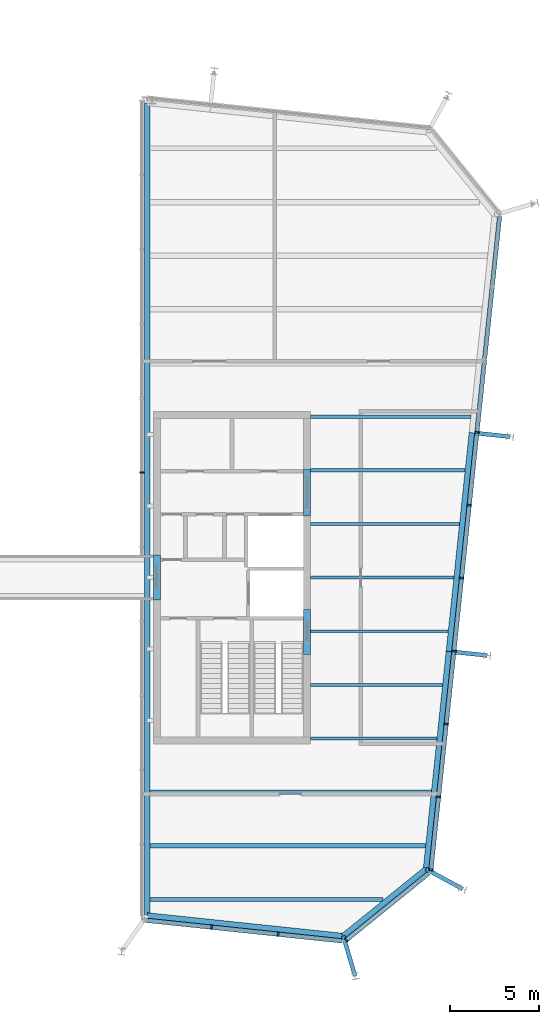
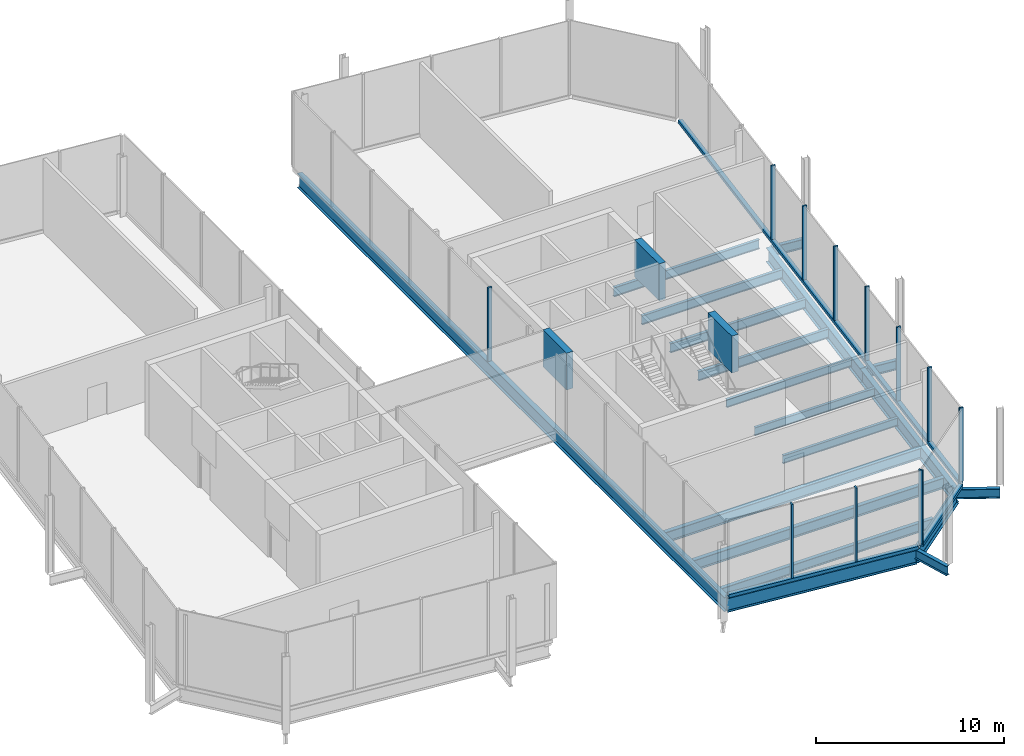
# One storey, part 4 of 12: 22 beams, 14 members, 4 elements without a shape of their own.
"""IFC4 building model written with IfcOpenShell, lengths in metres."""

from ifc_helpers import new_model, si_unit, direction, frame, origin, origin_2d, place, context, subcontext, project, spatial, rectangle, i_section, extrude, material, layer, layer_set, material_profile, profile_set, type_object, element, aggregate, save


model = new_model("IFC4")

# Units and contexts
model_context = context("Model", 3, precision=1e-05, world=origin(), true_north=direction((0.0, 1.0)))
body_context = subcontext(model_context, "Body", "Model", "MODEL_VIEW")
ifc_project = project(units=[si_unit("LENGTHUNIT", "METRE"), si_unit("AREAUNIT", "SQUARE_METRE"), si_unit("VOLUMEUNIT", "CUBIC_METRE"), si_unit("PLANEANGLEUNIT", "RADIAN"), si_unit("MASSUNIT", "GRAM", prefix="KILO")], contexts=[model_context])

# Site, building, storey
site_placement = place(None, origin())
site = spatial("IfcSite", under=ifc_project, at=site_placement, CompositionType="ELEMENT")
building_placement = place(site_placement, origin())
building = spatial("IfcBuilding", under=site, at=building_placement, Name="Millrace Tower", CompositionType="ELEMENT")
storey_placement = place(building_placement, frame((0.0, 0.0, 347.10009765625)))
storey = spatial("IfcBuildingStorey", under=building, at=storey_placement, Name="L80", CompositionType="ELEMENT", Elevation=347.10009765625)

# Curtain wall, member
ifc_material_1 = material(Name="Aluminium and glass", Category="aluminium")
ifc_layer = layer(ifc_material_1, 0.25)
ifc_layer_set = layer_set([ifc_layer], Name="Aluminium and glass")
curtain_wall_type = type_object("IfcCurtainWallType", Name="CW-7 crown louvred enclosure", PredefinedType="NOTDEFINED", material=ifc_layer_set)
placement = place(storey_placement, origin())
curtain_wall_1 = element("IfcCurtainWall", 1, at=placement, inside=storey, type_object=curtain_wall_type, Name="Curtain wall CE-F01 L80", PredefinedType="NOTDEFINED")
ifc_material_2 = material(Name="Aluminium", Category="aluminium")
ifc_material_profile_1 = material_profile(ifc_material_2, rectangle(XDim=0.10009765625, YDim=0.25, at=origin_2d()))
ifc_profile_set_1 = profile_set([ifc_material_profile_1], Name="Aluminium")
member_type_1 = type_object("IfcMemberType", Name="CW-7 crown louvred enclosure mullion", PredefinedType="MULLION", material=ifc_profile_set_1)
member_1_placement = place(storey_placement, frame((4.875, 5.875, 0.199951171875), z_axis=(0.0, 0.0, 1.0), x_axis=(0.0, -1.0, 0.0)))
member_1 = element("IfcMember", 2, at=member_1_placement, type_object=member_type_1, Name="CW7 mullion CE-F01.6", PredefinedType="MULLION", context=body_context, shape_type="SweptSolid", body=[
    extrude(rectangle(XDim=0.10009765625, YDim=0.25, at=origin_2d()), origin(), (0.0, 0.0, 1.0), 4.800048828125),
])
aggregate(curtain_wall_1, [member_1])

# Curtain wall, members
curtain_wall_2 = element("IfcCurtainWall", 3, at=placement, inside=storey, type_object=curtain_wall_type, Name="Curtain wall CE-F02 L80", PredefinedType="NOTDEFINED")
member_2_placement = place(storey_placement, frame((8.76025390625, -19.55078125, 0.199951171875), z_axis=(0.0, 0.0, 1.0), x_axis=(0.994521900296, -0.104528416385, 0.0)))
member_2 = element("IfcMember", 4, at=member_2_placement, type_object=member_type_1, Name="CW7 mullion CE-F02.2", PredefinedType="MULLION", context=body_context, shape_type="SweptSolid", body=[
    extrude(rectangle(XDim=0.10009765625, YDim=0.25, at=origin_2d()), origin(), (0.0, 0.0, 1.0), 4.800048828125),
])
member_3_placement = place(storey_placement, frame((12.48388671875, -19.942138671875, 0.199951171875), z_axis=(0.0, 0.0, 1.0), x_axis=(0.994521900296, -0.104528416385, 0.0)))
member_3 = element("IfcMember", 5, at=member_3_placement, type_object=member_type_1, Name="CW7 mullion CE-F02.3", PredefinedType="MULLION", context=body_context, shape_type="SweptSolid", body=[
    extrude(rectangle(XDim=0.10009765625, YDim=0.25, at=origin_2d()), origin(), (0.0, 0.0, 1.0), 4.800048828125),
])

# Curtain wall, member
curtain_wall_3 = element("IfcCurtainWall", 6, at=placement, inside=storey, type_object=curtain_wall_type, Name="Curtain wall CE-F03 L80", PredefinedType="NOTDEFINED")
member_4_placement = place(storey_placement, frame((16.288330078125, -20.26953125, 0.199951171875), z_axis=(0.0, 0.0, 1.0), x_axis=(0.777146052237, 0.629320278945, 0.0)))
member_4 = element("IfcMember", 7, at=member_4_placement, type_object=member_type_1, Name="CW7 mullion CE-F03.1", PredefinedType="MULLION", context=body_context, shape_type="SweptSolid", body=[
    extrude(rectangle(XDim=0.10009765625, YDim=0.25, at=origin_2d()), origin(), (0.0, 0.0, 1.0), 4.800048828125),
])

# Curtain wall, members
curtain_wall_4 = element("IfcCurtainWall", 8, at=placement, inside=storey, type_object=curtain_wall_type, Name="Curtain wall CE-F04 L80", PredefinedType="NOTDEFINED")
member_5_placement = place(storey_placement, frame((21.0263671875, -16.34033203125, 0.199951171875), z_axis=(0.0, 0.0, 1.0), x_axis=(0.104528455196, 0.994521896217, 0.0)))
member_5 = element("IfcMember", 9, at=member_5_placement, type_object=member_type_1, Name="CW7 mullion CE-F04.1", PredefinedType="MULLION", context=body_context, shape_type="SweptSolid", body=[
    extrude(rectangle(XDim=0.10009765625, YDim=0.25, at=origin_2d()), origin(), (0.0, 0.0, 1.0), 4.800048828125),
])
member_6_placement = place(storey_placement, frame((21.454833984375, -12.2626953125, 0.199951171875), z_axis=(0.0, 0.0, 1.0), x_axis=(0.104528455196, 0.994521896217, 0.0)))
member_6 = element("IfcMember", 10, at=member_6_placement, type_object=member_type_1, Name="CW7 mullion CE-F04.2", PredefinedType="MULLION", context=body_context, shape_type="SweptSolid", body=[
    extrude(rectangle(XDim=0.10009765625, YDim=0.25, at=origin_2d()), origin(), (0.0, 0.0, 1.0), 4.800048828125),
])
member_7_placement = place(storey_placement, frame((21.883544921875, -8.185302734375, 0.199951171875), z_axis=(0.0, 0.0, 1.0), x_axis=(0.104528455196, 0.994521896217, 0.0)))
member_7 = element("IfcMember", 11, at=member_7_placement, type_object=member_type_1, Name="CW7 mullion CE-F04.3", PredefinedType="MULLION", context=body_context, shape_type="SweptSolid", body=[
    extrude(rectangle(XDim=0.10009765625, YDim=0.25, at=origin_2d()), origin(), (0.0, 0.0, 1.0), 4.800048828125),
])
member_8_placement = place(storey_placement, frame((22.31201171875, -4.107666015625, 0.199951171875), z_axis=(0.0, 0.0, 1.0), x_axis=(0.104528455196, 0.994521896217, 0.0)))
member_8 = element("IfcMember", 12, at=member_8_placement, type_object=member_type_1, Name="CW7 mullion CE-F04.4", PredefinedType="MULLION", context=body_context, shape_type="SweptSolid", body=[
    extrude(rectangle(XDim=0.10009765625, YDim=0.25, at=origin_2d()), origin(), (0.0, 0.0, 1.0), 4.800048828125),
])
member_9_placement = place(storey_placement, frame((22.74072265625, -0.030029296875, 0.199951171875), z_axis=(0.0, 0.0, 1.0), x_axis=(0.104528455196, 0.994521896217, 0.0)))
member_9 = element("IfcMember", 13, at=member_9_placement, type_object=member_type_1, Name="CW7 mullion CE-F04.5", PredefinedType="MULLION", context=body_context, shape_type="SweptSolid", body=[
    extrude(rectangle(XDim=0.10009765625, YDim=0.25, at=origin_2d()), origin(), (0.0, 0.0, 1.0), 4.800048828125),
])
member_10_placement = place(storey_placement, frame((23.169189453125, 4.04736328125, 0.199951171875), z_axis=(0.0, 0.0, 1.0), x_axis=(0.104528455196, 0.994521896217, 0.0)))
member_10 = element("IfcMember", 14, at=member_10_placement, type_object=member_type_1, Name="CW7 mullion CE-F04.6", PredefinedType="MULLION", context=body_context, shape_type="SweptSolid", body=[
    extrude(rectangle(XDim=0.10009765625, YDim=0.25, at=origin_2d()), origin(), (0.0, 0.0, 1.0), 4.800048828125),
])
member_11_placement = place(storey_placement, frame((23.59765625, 8.125, 0.199951171875), z_axis=(0.0, 0.0, 1.0), x_axis=(0.104528455196, 0.994521896217, 0.0)))
member_11 = element("IfcMember", 15, at=member_11_placement, type_object=member_type_1, Name="CW7 mullion CE-F04.7", PredefinedType="MULLION", context=body_context, shape_type="SweptSolid", body=[
    extrude(rectangle(XDim=0.10009765625, YDim=0.25, at=origin_2d()), origin(), (0.0, 0.0, 1.0), 4.800048828125),
])

# Member
ifc_material_3 = material(Name="Aluminium", Category="aluminium")
ifc_material_profile_2 = material_profile(ifc_material_3, rectangle(XDim=0.25, YDim=0.199951171875, at=origin_2d()))
ifc_profile_set_2 = profile_set([ifc_material_profile_2], Name="Aluminium")
member_type_2 = type_object("IfcMemberType", Name="CW-7 crown louvred enclosure transom", PredefinedType="USERDEFINED", material=ifc_profile_set_2)
member_12_placement = place(storey_placement, frame((5.08642578125, -19.16455078125, 0.099853515625), z_axis=(0.994520720761, -0.104539638301, 0.0), x_axis=(0.104539638301, 0.994520720761, 0.0)))
member_12 = element("IfcMember", 16, at=member_12_placement, type_object=member_type_2, Name="CW7 transom CE-F02.1", ObjectType="TRANSOM", PredefinedType="USERDEFINED", context=body_context, shape_type="SweptSolid", body=[
    extrude(rectangle(XDim=0.25, YDim=0.199951171875, at=origin_2d()), origin(), (0.0, 0.0, 1.0), 11.032470703125),
])

aggregate(curtain_wall_2, [member_2, member_3, member_12])

member_13_placement = place(storey_placement, frame((16.327392578125, -20.238037109375, 0.099853515625), z_axis=(0.77714915117, 0.629316452061, 0.0), x_axis=(-0.629316452061, 0.77714915117, 0.0)))
member_13 = element("IfcMember", 17, at=member_13_placement, type_object=member_type_2, Name="CW7 transom CE-F03.1", ObjectType="TRANSOM", PredefinedType="USERDEFINED", context=body_context, shape_type="SweptSolid", body=[
    extrude(rectangle(XDim=0.25, YDim=0.199951171875, at=origin_2d()), origin(), (0.0, 0.0, 1.0), 5.880859375),
])

aggregate(curtain_wall_3, [member_4, member_13])

member_14_placement = place(storey_placement, frame((21.031494140625, -16.29052734375, 0.099853515625), z_axis=(0.104527916025, 0.994521952886, 0.0), x_axis=(-0.994521952886, 0.104527916025, 0.0)))
member_14 = element("IfcMember", 18, at=member_14_placement, type_object=member_type_2, Name="CW7 transom CE-F04.1", ObjectType="TRANSOM", PredefinedType="USERDEFINED", context=body_context, shape_type="SweptSolid", body=[
    extrude(rectangle(XDim=0.25, YDim=0.199951171875, at=origin_2d()), origin(), (0.0, 0.0, 1.0), 36.699951171875),
])

aggregate(curtain_wall_4, [member_5, member_6, member_7, member_8, member_9, member_10, member_11, member_14])

# Beams
ifc_material_4 = material(Name="Concrete C60", Category="concrete")
ifc_material_profile_3 = material_profile(ifc_material_4, rectangle(XDim=0.39990234375, YDim=2.39990234375, at=origin_2d()))
ifc_profile_set_3 = profile_set([ifc_material_profile_3], Name="Concrete C60")
beam_type_1 = type_object("IfcBeamType", Name="Coupling beam 400 x 2400 Concrete C60, 1300 opening", PredefinedType="BEAM", material=ifc_profile_set_3)
for number, where, z_axis, x_axis, name in (
    (19, (14.10009765625, -1.77001953125, 3.599853515625), (0.0, -1.0, 0.0), (1.0, 0.0, 0.0), "Coupling beam E L80"),
    (20, (5.699951171875, 1.260009765625, 3.599853515625), (0.0, -1.0, 0.0), (1.0, 0.0, 0.0), "Coupling beam E L80"),
):
    element("IfcBeam", number, at=place(storey_placement, frame(where, z_axis=z_axis, x_axis=x_axis)), inside=storey, type_object=beam_type_1, Name=name, PredefinedType="BEAM", context=body_context, shape_type="SweptSolid", body=[
        extrude(rectangle(XDim=0.39990234375, YDim=2.39990234375, at=origin_2d()), origin(), (0.0, 0.0, 1.0), 2.52001953125),
    ])
ifc_material_5 = material(Name="Concrete C60", Category="concrete")
ifc_material_profile_4 = material_profile(ifc_material_5, rectangle(XDim=0.39990234375, YDim=2.39990234375, at=origin_2d()))
ifc_profile_set_4 = profile_set([ifc_material_profile_4], Name="Concrete C60")
beam_type_2 = type_object("IfcBeamType", Name="Coupling beam 400 x 2400 Concrete C60, 2000 opening", PredefinedType="BEAM", material=ifc_profile_set_4)
beam_1_placement = place(storey_placement, frame((14.10009765625, 6.050048828125, 3.599853515625), z_axis=(0.0, -1.0, 0.0), x_axis=(1.0, 0.0, 0.0)))
element("IfcBeam", 21, at=beam_1_placement, inside=storey, type_object=beam_type_2, Name="Coupling beam E L80", PredefinedType="BEAM", context=body_context, shape_type="SweptSolid", body=[
    extrude(rectangle(XDim=0.39990234375, YDim=2.39990234375, at=origin_2d()), origin(), (0.0, 0.0, 1.0), 2.60009765625),
])
ifc_material_6 = material(Name="Steel ASTM A992 Grade 50", Category="steel")
ifc_material_profile_5 = material_profile(ifc_material_6, i_section(OverallWidth=0.1650390625, OverallDepth=0.52587890625, WebThickness=0.0087890625, FlangeThickness=0.011474609375, FilletRadius=0.0126953125, at=origin_2d()))
ifc_profile_set_5 = profile_set([ifc_material_profile_5], Name="Steel ASTM A992 Grade 50")
beam_type_3 = type_object("IfcBeamType", Name="Floor beam W21x44", PredefinedType="JOIST", material=ifc_profile_set_5)
beam_2_placement = place(storey_placement, frame((14.300048828125, -9.0, -0.462890625), z_axis=(1.0, 0.0, 0.0), x_axis=(0.0, 1.0, 0.0)))
element("IfcBeam", 22, at=beam_2_placement, inside=storey, type_object=beam_type_3, Name="BM-CROWN-L80-SE-S004", PredefinedType="JOIST", context=body_context, shape_type="SweptSolid", body=[
    extrude(i_section(OverallWidth=0.1650390625, OverallDepth=0.52587890625, WebThickness=0.0087890625, FlangeThickness=0.011474609375, FilletRadius=0.0126953125, at=origin_2d()), origin(), (0.0, 0.0, 1.0), 7.06298828125),
])
beam_3_placement = place(storey_placement, frame((14.300048828125, -6.0, -0.462890625), z_axis=(1.0, 0.0, 0.0), x_axis=(0.0, 1.0, 0.0)))
element("IfcBeam", 23, at=beam_3_placement, inside=storey, type_object=beam_type_3, Name="BM-CROWN-L80-SE-S005", PredefinedType="JOIST", context=body_context, shape_type="SweptSolid", body=[
    extrude(i_section(OverallWidth=0.1650390625, OverallDepth=0.52587890625, WebThickness=0.0087890625, FlangeThickness=0.011474609375, FilletRadius=0.0126953125, at=origin_2d()), origin(), (0.0, 0.0, 1.0), 7.37841796875),
])
beam_4_placement = place(storey_placement, frame((14.300048828125, -3.0, -0.462890625), z_axis=(1.0, 0.0, 0.0), x_axis=(0.0, 1.0, 0.0)))
element("IfcBeam", 24, at=beam_4_placement, inside=storey, type_object=beam_type_3, Name="BM-CROWN-L80-SE-S006", PredefinedType="JOIST", context=body_context, shape_type="SweptSolid", body=[
    extrude(i_section(OverallWidth=0.1650390625, OverallDepth=0.52587890625, WebThickness=0.0087890625, FlangeThickness=0.011474609375, FilletRadius=0.0126953125, at=origin_2d()), origin(), (0.0, 0.0, 1.0), 7.693603515625),
])
ifc_material_7 = material(Name="Steel ASTM A992 Grade 50", Category="steel")
ifc_material_profile_6 = material_profile(ifc_material_7, i_section(OverallWidth=0.177978515625, OverallDepth=0.599365234375, WebThickness=0.010009765625, FlangeThickness=0.012939453125, FilletRadius=0.012939453125, at=origin_2d()))
ifc_profile_set_6 = profile_set([ifc_material_profile_6], Name="Steel ASTM A992 Grade 50")
beam_type_4 = type_object("IfcBeamType", Name="Floor beam W24x55", PredefinedType="JOIST", material=ifc_profile_set_6)
beam_5_placement = place(storey_placement, frame((14.300048828125, 0.0, -0.499755859375), z_axis=(1.0, 0.0, 0.0), x_axis=(0.0, 1.0, 0.0)))
element("IfcBeam", 25, at=beam_5_placement, inside=storey, type_object=beam_type_4, Name="BM-CROWN-L80-SE-S007", PredefinedType="JOIST", context=body_context, shape_type="SweptSolid", body=[
    extrude(i_section(OverallWidth=0.177978515625, OverallDepth=0.599365234375, WebThickness=0.010009765625, FlangeThickness=0.012939453125, FilletRadius=0.012939453125, at=origin_2d()), origin(), (0.0, 0.0, 1.0), 8.009033203125),
])
beam_6_placement = place(storey_placement, frame((14.300048828125, 3.0, -0.499755859375), z_axis=(1.0, 0.0, 0.0), x_axis=(0.0, 1.0, 0.0)))
element("IfcBeam", 26, at=beam_6_placement, inside=storey, type_object=beam_type_4, Name="BM-CROWN-L80-SE-S008", PredefinedType="JOIST", context=body_context, shape_type="SweptSolid", body=[
    extrude(i_section(OverallWidth=0.177978515625, OverallDepth=0.599365234375, WebThickness=0.010009765625, FlangeThickness=0.012939453125, FilletRadius=0.012939453125, at=origin_2d()), origin(), (0.0, 0.0, 1.0), 8.324462890625),
])
beam_7_placement = place(storey_placement, frame((14.300048828125, 6.0, -0.499755859375), z_axis=(1.0, 0.0, 0.0), x_axis=(0.0, 1.0, 0.0)))
element("IfcBeam", 27, at=beam_7_placement, inside=storey, type_object=beam_type_4, Name="BM-CROWN-L80-SE-S009", PredefinedType="JOIST", context=body_context, shape_type="SweptSolid", body=[
    extrude(i_section(OverallWidth=0.177978515625, OverallDepth=0.599365234375, WebThickness=0.010009765625, FlangeThickness=0.012939453125, FilletRadius=0.012939453125, at=origin_2d()), origin(), (0.0, 0.0, 1.0), 8.6396484375),
])
beam_8_placement = place(storey_placement, frame((14.300048828125, 9.0, -0.499755859375), z_axis=(1.0, 0.0, 0.0), x_axis=(0.0, 1.0, 0.0)))
element("IfcBeam", 28, at=beam_8_placement, inside=storey, type_object=beam_type_4, Name="BM-CROWN-L80-SE-S010", PredefinedType="JOIST", context=body_context, shape_type="SweptSolid", body=[
    extrude(i_section(OverallWidth=0.177978515625, OverallDepth=0.599365234375, WebThickness=0.010009765625, FlangeThickness=0.012939453125, FilletRadius=0.012939453125, at=origin_2d()), origin(), (0.0, 0.0, 1.0), 8.955078125),
])
ifc_material_8 = material(Name="Steel ASTM A992 Grade 50", Category="steel")
ifc_material_profile_7 = material_profile(ifc_material_8, i_section(OverallWidth=0.228271484375, OverallDepth=0.607177734375, WebThickness=0.01123046875, FlangeThickness=0.017333984375, FilletRadius=0.0126953125, at=origin_2d()))
ifc_profile_set_7 = profile_set([ifc_material_profile_7], Name="Steel ASTM A992 Grade 50")
beam_type_5 = type_object("IfcBeamType", Name="Floor beam W24x76", PredefinedType="JOIST", material=ifc_profile_set_7)
beam_9_placement = place(storey_placement, frame((5.307373046875, -18.0, -0.503662109375), z_axis=(1.0, 0.0, 0.0), x_axis=(0.0, 1.0, 0.0)))
element("IfcBeam", 29, at=beam_9_placement, inside=storey, type_object=beam_type_5, Name="BM-CROWN-L80-SE-S001", PredefinedType="JOIST", context=body_context, shape_type="SweptSolid", body=[
    extrude(i_section(OverallWidth=0.228271484375, OverallDepth=0.607177734375, WebThickness=0.01123046875, FlangeThickness=0.017333984375, FilletRadius=0.0126953125, at=origin_2d()), origin(), (0.0, 0.0, 1.0), 13.02880859375),
])
ifc_material_9 = material(Name="Steel ASTM A992 Grade 50", Category="steel")
ifc_material_profile_8 = material_profile(ifc_material_9, i_section(OverallWidth=0.256591796875, OverallDepth=0.693359375, WebThickness=0.014404296875, FlangeThickness=0.023681640625, FilletRadius=0.01513671875, at=origin_2d()))
ifc_profile_set_8 = profile_set([ifc_material_profile_8], Name="Steel ASTM A992 Grade 50")
beam_type_6 = type_object("IfcBeamType", Name="Floor beam W27x114", PredefinedType="JOIST", material=ifc_profile_set_8)
beam_10_placement = place(storey_placement, frame((5.307373046875, -15.0, -0.546875), z_axis=(1.0, 0.0, 0.0), x_axis=(0.0, 1.0, 0.0)))
element("IfcBeam", 30, at=beam_10_placement, inside=storey, type_object=beam_type_6, Name="BM-CROWN-L80-SE-S002", PredefinedType="JOIST", context=body_context, shape_type="SweptSolid", body=[
    extrude(i_section(OverallWidth=0.256591796875, OverallDepth=0.693359375, WebThickness=0.014404296875, FlangeThickness=0.023681640625, FilletRadius=0.01513671875, at=origin_2d()), origin(), (0.0, 0.0, 1.0), 15.425048828125),
])
beam_11_placement = place(storey_placement, frame((5.307373046875, -12.0, -0.546875), z_axis=(1.0, 0.0, 0.0), x_axis=(0.0, 1.0, 0.0)))
element("IfcBeam", 31, at=beam_11_placement, inside=storey, type_object=beam_type_6, Name="BM-CROWN-L80-SE-S003", PredefinedType="JOIST", context=body_context, shape_type="SweptSolid", body=[
    extrude(i_section(OverallWidth=0.256591796875, OverallDepth=0.693359375, WebThickness=0.014404296875, FlangeThickness=0.023681640625, FilletRadius=0.01513671875, at=origin_2d()), origin(), (0.0, 0.0, 1.0), 15.740478515625),
])
ifc_material_10 = material(Name="Steel ASTM A992 Grade 50", Category="steel")
ifc_material_profile_9 = material_profile(ifc_material_10, i_section(OverallWidth=0.23046875, OverallDepth=0.6171875, WebThickness=0.01318359375, FlangeThickness=0.022216796875, FilletRadius=0.012939453125, at=origin_2d()))
ifc_profile_set_9 = profile_set([ifc_material_profile_9], Name="Steel ASTM A992 Grade 50")
beam_type_7 = type_object("IfcBeamType", Name="Link beam W24x94", PredefinedType="BEAM", material=ifc_profile_set_9)
for number, where, z_axis, x_axis, name in (
    (32, (23.46826171875, 8.08837890625, -0.5087890625), (0.994512808172, -0.104614886044, 0.0), (0.104614886044, 0.994512808172, 0.0), "LNK-CROWN-L80-SE-04"),
    (33, (22.1826171875, -4.144287109375, -0.5087890625), (0.99452550138, -0.104494148666, 0.0), (0.104494148666, 0.99452550138, 0.0), "LNK-CROWN-L80-SE-05"),
):
    element("IfcBeam", number, at=place(storey_placement, frame(where, z_axis=z_axis, x_axis=x_axis)), inside=storey, type_object=beam_type_7, Name=name, PredefinedType="BEAM", context=body_context, shape_type="SweptSolid", body=[
        extrude(i_section(OverallWidth=0.23046875, OverallDepth=0.6171875, WebThickness=0.01318359375, FlangeThickness=0.022216796875, FilletRadius=0.012939453125, at=origin_2d()), origin(), (0.0, 0.0, 1.0), 2.0),
    ])
for number, where, z_axis, x_axis, name in (
    (34, (20.750732421875, -16.297607421875, -0.5087890625), (0.87881453358, -0.477163510307, 0.0), (0.477163510307, 0.87881453358, 0.0), "LNK-CROWN-L80-SE-06"),
    (35, (16.123779296875, -20.04443359375, -0.5087890625), (0.283934988541, -0.958843533785, 0.0), (0.958843533785, 0.283934988541, 0.0), "LNK-CROWN-L80-SE-07"),
):
    element("IfcBeam", number, at=place(storey_placement, frame(where, z_axis=z_axis, x_axis=x_axis)), inside=storey, type_object=beam_type_7, Name=name, PredefinedType="BEAM", context=body_context, shape_type="SweptSolid", body=[
        extrude(i_section(OverallWidth=0.23046875, OverallDepth=0.6171875, WebThickness=0.01318359375, FlangeThickness=0.022216796875, FilletRadius=0.012939453125, at=origin_2d()), origin(), (0.0, 0.0, 1.0), 2.3310546875),
    ])
ifc_material_11 = material(Name="Steel ASTM A992 Grade 50", Category="steel")
ifc_material_profile_10 = material_profile(ifc_material_11, i_section(OverallWidth=0.307373046875, OverallDepth=0.927001953125, WebThickness=0.01953125, FlangeThickness=0.031982421875, FilletRadius=0.01904296875, at=origin_2d()))
ifc_profile_set_10 = profile_set([ifc_material_profile_10], Name="Steel ASTM A992 Grade 50")
beam_type_8 = type_object("IfcBeamType", Name="Ring beam long span W36x194", PredefinedType="SPANDREL", material=ifc_profile_set_10)
beam_12_placement = place(storey_placement, frame((5.153564453125, -18.891357421875, -0.66357421875), z_axis=(0.0, 1.0, 0.0), x_axis=(-1.0, 0.0, 0.0)))
element("IfcBeam", 36, at=beam_12_placement, inside=storey, type_object=beam_type_8, Name="RNG-CROWN-L80-SE-08", PredefinedType="SPANDREL", context=body_context, shape_type="SweptSolid", body=[
    extrude(i_section(OverallWidth=0.307373046875, OverallDepth=0.927001953125, WebThickness=0.01953125, FlangeThickness=0.031982421875, FilletRadius=0.01904296875, at=origin_2d()), origin(), (0.0, 0.0, 1.0), 45.44140625),
])
ifc_material_12 = material(Name="Steel ASTM A992 Grade 50", Category="steel")
ifc_material_profile_11 = material_profile(ifc_material_12, i_section(OverallWidth=0.307373046875, OverallDepth=0.927001953125, WebThickness=0.01953125, FlangeThickness=0.031982421875, FilletRadius=0.01904296875, at=origin_2d()))
ifc_profile_set_11 = profile_set([ifc_material_profile_11], Name="Steel ASTM A992 Grade 50")
beam_type_9 = type_object("IfcBeamType", Name="Ring beam medium span W36x194", PredefinedType="SPANDREL", material=ifc_profile_set_11)
beam_13_placement = place(storey_placement, frame((23.3154296875, 8.104248046875, -0.66357421875), z_axis=(-0.10452566363, -0.994522189618, 0.0), x_axis=(0.994522189618, -0.10452566363, 0.0)))
element("IfcBeam", 37, at=beam_13_placement, inside=storey, type_object=beam_type_9, Name="RNG-CROWN-L80-SE-04", PredefinedType="SPANDREL", context=body_context, shape_type="SweptSolid", body=[
    extrude(i_section(OverallWidth=0.307373046875, OverallDepth=0.927001953125, WebThickness=0.01953125, FlangeThickness=0.031982421875, FilletRadius=0.01904296875, at=origin_2d()), origin(), (0.0, 0.0, 1.0), 12.2998046875),
])
beam_14_placement = place(storey_placement, frame((22.02978515625, -4.128173828125, -0.66357421875), z_axis=(-0.104527955888, -0.994521948696, 0.0), x_axis=(0.994521948696, -0.104527955888, 0.0)))
element("IfcBeam", 38, at=beam_14_placement, inside=storey, type_object=beam_type_9, Name="RNG-CROWN-L80-SE-05", PredefinedType="SPANDREL", context=body_context, shape_type="SweptSolid", body=[
    extrude(i_section(OverallWidth=0.307373046875, OverallDepth=0.927001953125, WebThickness=0.01953125, FlangeThickness=0.031982421875, FilletRadius=0.01904296875, at=origin_2d()), origin(), (0.0, 0.0, 1.0), 12.236572265625),
])
ifc_material_13 = material(Name="Steel ASTM A992 Grade 50", Category="steel")
ifc_material_profile_12 = material_profile(ifc_material_13, i_section(OverallWidth=0.307373046875, OverallDepth=0.927001953125, WebThickness=0.01953125, FlangeThickness=0.031982421875, FilletRadius=0.01904296875, at=origin_2d()))
ifc_profile_set_12 = profile_set([ifc_material_profile_12], Name="Steel ASTM A992 Grade 50")
beam_type_10 = type_object("IfcBeamType", Name="Ring beam short span W36x194", PredefinedType="SPANDREL", material=ifc_profile_set_12)
beam_15_placement = place(storey_placement, frame((20.750732421875, -16.297607421875, -0.66357421875), z_axis=(-0.777146502883, -0.629319722443, 0.0), x_axis=(0.629319722443, -0.777146502883, 0.0)))
element("IfcBeam", 39, at=beam_15_placement, inside=storey, type_object=beam_type_10, Name="RNG-CROWN-L80-SE-06", PredefinedType="SPANDREL", context=body_context, shape_type="SweptSolid", body=[
    extrude(i_section(OverallWidth=0.307373046875, OverallDepth=0.927001953125, WebThickness=0.01953125, FlangeThickness=0.031982421875, FilletRadius=0.01904296875, at=origin_2d()), origin(), (0.0, 0.0, 1.0), 5.953857421875),
])
beam_16_placement = place(storey_placement, frame((16.123779296875, -20.04443359375, -0.66357421875), z_axis=(-0.994521328672, 0.104533854883, 0.0), x_axis=(-0.104533854883, -0.994521328672, 0.0)))
element("IfcBeam", 40, at=beam_16_placement, inside=storey, type_object=beam_type_10, Name="RNG-CROWN-L80-SE-07", PredefinedType="SPANDREL", context=body_context, shape_type="SweptSolid", body=[
    extrude(i_section(OverallWidth=0.307373046875, OverallDepth=0.927001953125, WebThickness=0.01953125, FlangeThickness=0.031982421875, FilletRadius=0.01904296875, at=origin_2d()), origin(), (0.0, 0.0, 1.0), 11.03076171875),
])

save(model, "model.ifc")
